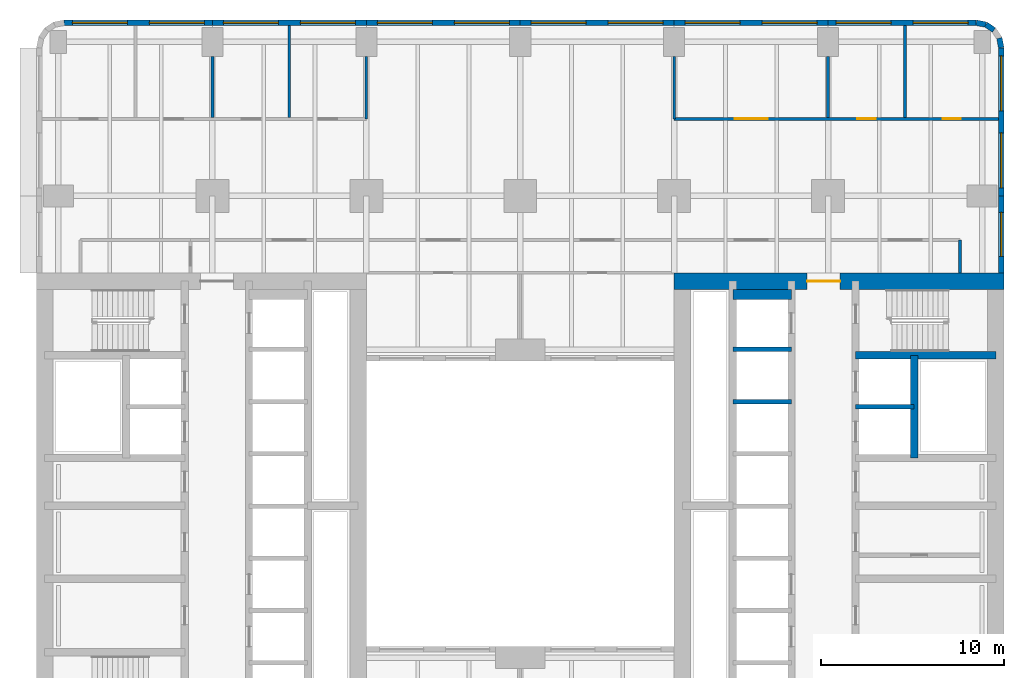
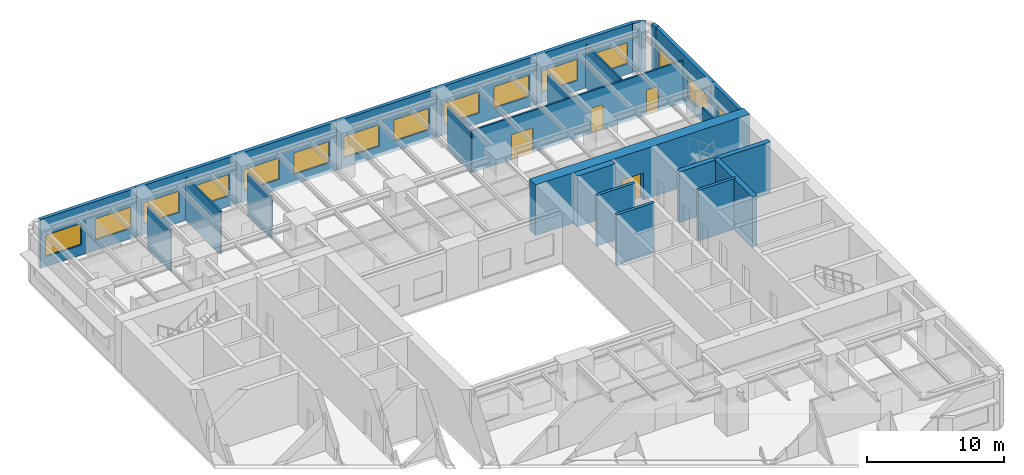
# One storey, part 7 of 14: 26 walls, 15 windows, 4 doors, 19 openings.
"""IFC4 building model written with IfcOpenShell, lengths in metres."""

from ifc_helpers import new_model, si_unit, direction, frame, frame_2d, origin, place, context, subcontext, project, spatial, rectangle, extrude, material, layer, layer_set, type_object, element, fill, save


model = new_model("IFC4")

# Units and contexts
model_context = context("Model", 3, precision=1e-05, world=origin(), true_north=direction((0.0, 1.0)))
body_context = subcontext(model_context, "Body", "Model", "MODEL_VIEW")
ifc_project = project(units=[si_unit("LENGTHUNIT", "METRE"), si_unit("AREAUNIT", "SQUARE_METRE"), si_unit("VOLUMEUNIT", "CUBIC_METRE"), si_unit("PLANEANGLEUNIT", "RADIAN"), si_unit("MASSUNIT", "GRAM", prefix="KILO")], contexts=[model_context])

# Site, building, storey
site_placement = place(None, origin())
site = spatial("IfcSite", under=ifc_project, at=site_placement, CompositionType="ELEMENT")
building_placement = place(site_placement, origin())
building = spatial("IfcBuilding", under=site, at=building_placement, Name="Claustro Exchange Tower", CompositionType="ELEMENT")
storey_placement = place(building_placement, frame((0.0, 0.0, 27.89990234375)))
storey = spatial("IfcBuildingStorey", under=building, at=storey_placement, Name="L06", CompositionType="ELEMENT", Elevation=27.89990234375)

# Walls
ifc_material_1 = material(Name="Gypsum board on steel studs", Category="steel")
ifc_layer_1 = layer(ifc_material_1, 0.14990234375)
ifc_layer_set_1 = layer_set([ifc_layer_1], Name="Gypsum board on steel studs")
wall_type_1 = type_object("IfcWallType", Name="P1 150 plasterboard partition", PredefinedType="PARTITIONING", material=ifc_layer_set_1)
wall_1_placement = place(storey_placement, frame((8.39990234375, 46.27392578125, 0.0), z_axis=(0.0, 0.0, 1.0), x_axis=(0.0, 1.0, 0.0)))
element("IfcWall", 1, at=wall_1_placement, inside=storey, type_object=wall_type_1, Name="Partition P1 L06", PredefinedType="PARTITIONING", context=body_context, shape_type="SweptSolid", body=[
    extrude(rectangle(XDim=3.3271484375, YDim=0.14990234375, at=frame_2d((1.66357421875, 0.0))), origin(), (0.0, 0.0, 1.0), 3.739990234375),
])
wall_2_placement = place(storey_placement, frame((12.60009765625, 46.27392578125, 0.0), z_axis=(0.0, 0.0, 1.0), x_axis=(0.0, 1.0, 0.0)))
element("IfcWall", 2, at=wall_2_placement, inside=storey, type_object=wall_type_1, Name="Partition P1 L06", PredefinedType="PARTITIONING", context=body_context, shape_type="SweptSolid", body=[
    extrude(rectangle(XDim=5.028076171875, YDim=0.14990234375, at=frame_2d((2.51416015625, 0.0))), origin(), (0.0, 0.0, 1.0), 3.840087890625),
])
wall_3_placement = place(storey_placement, frame((16.800048828125, 46.199951171875, 0.0), z_axis=(0.0, 0.0, 1.0), x_axis=(0.0, 1.0, 0.0)))
element("IfcWall", 3, at=wall_3_placement, inside=storey, type_object=wall_type_1, Name="Partition P1 L06", PredefinedType="PARTITIONING", context=body_context, shape_type="SweptSolid", body=[
    extrude(rectangle(XDim=3.401123046875, YDim=0.14990234375, at=frame_2d((1.70068359375, 0.0))), origin(), (0.0, 0.0, 1.0), 3.739990234375),
])

# Wall, openings, doors
wall_4_placement = place(storey_placement, frame((33.60009765625, 46.199951171875, 0.0), z_axis=(0.0, 0.0, 1.0), x_axis=(1.0, 0.0, 0.0)))
wall_4 = element("IfcWall", 4, at=wall_4_placement, inside=storey, type_object=wall_type_1, Name="Partition P1 L06", PredefinedType="PARTITIONING", context=body_context, shape_type="SweptSolid", body=[
    extrude(rectangle(XDim=17.701904296875, YDim=0.14990234375, at=frame_2d((8.85107421875, 0.0))), origin(), (0.0, 0.0, 1.0), 3.739990234375),
])
opening_1_placement = place(wall_4_placement, frame((3.300048828125, 0.0, 0.0)))
opening_1 = element("IfcOpeningElement", 5, at=opening_1_placement, cuts=wall_4, Name="Opening D2", PredefinedType="OPENING", context=body_context, shape_type="SweptSolid", body=[
    extrude(rectangle(XDim=1.800048828125, YDim=2.199951171875, at=frame_2d((0.89990234375, 1.10009765625))), frame((0.0, 0.0849609375, 0.0), z_axis=(0.0, -1.0, 0.0), x_axis=(1.0, 0.0, 0.0)), (0.0, 0.0, 1.0), 0.169921875),
])
opening_2_placement = place(wall_4_placement, frame((10.0, 0.0, 0.0)))
opening_2 = element("IfcOpeningElement", 6, at=opening_2_placement, cuts=wall_4, Name="Opening D1", PredefinedType="OPENING", context=body_context, shape_type="SweptSolid", body=[
    extrude(rectangle(XDim=1.0, YDim=2.199951171875, at=frame_2d((0.5, 1.10009765625))), frame((0.0, 0.0849609375, 0.0), z_axis=(0.0, -1.0, 0.0), x_axis=(1.0, 0.0, 0.0)), (0.0, 0.0, 1.0), 0.169921875),
])
opening_3_placement = place(wall_4_placement, frame((14.64990234375, 0.0, 0.0)))
opening_3 = element("IfcOpeningElement", 7, at=opening_3_placement, cuts=wall_4, Name="Opening D1", PredefinedType="OPENING", context=body_context, shape_type="SweptSolid", body=[
    extrude(rectangle(XDim=1.0, YDim=2.199951171875, at=frame_2d((0.5, 1.10009765625))), frame((0.0, 0.0849609375, 0.0), z_axis=(0.0, -1.0, 0.0), x_axis=(1.0, 0.0, 0.0)), (0.0, 0.0, 1.0), 0.169921875),
])
ifc_material_2 = material(Name="Timber door, oak veneer", Category="wood")
door_type_1 = type_object("IfcDoorType", Name="D1 1000 x 2200 single door", OperationType="SINGLE_SWING_LEFT", PredefinedType="DOOR", material=ifc_material_2)
door_1_placement = place(opening_2_placement, origin())
door_1 = element("IfcDoor", 8, at=door_1_placement, inside=storey, type_object=door_type_1, Name="Door D1 L06", OperationType="SINGLE_SWING_LEFT", OverallHeight=2.199951171875, OverallWidth=1.0, PredefinedType="DOOR", context=body_context, shape_type="SweptSolid", body=[
    extrude(rectangle(XDim=1.0, YDim=2.199951171875, at=frame_2d((0.5, 1.10009765625))), frame((0.0, 0.02490234375, 0.0), z_axis=(0.0, -1.0, 0.0), x_axis=(1.0, 0.0, 0.0)), (0.0, 0.0, 1.0), 0.050048828125),
])
fill(opening_2, door_1)
door_2_placement = place(opening_3_placement, origin())
door_2 = element("IfcDoor", 9, at=door_2_placement, inside=storey, type_object=door_type_1, Name="Door D1 L06", OperationType="SINGLE_SWING_LEFT", OverallHeight=2.199951171875, OverallWidth=1.0, PredefinedType="DOOR", context=body_context, shape_type="SweptSolid", body=[
    extrude(rectangle(XDim=1.0, YDim=2.199951171875, at=frame_2d((0.5, 1.10009765625))), frame((0.0, 0.02490234375, 0.0), z_axis=(0.0, -1.0, 0.0), x_axis=(1.0, 0.0, 0.0)), (0.0, 0.0, 1.0), 0.050048828125),
])
fill(opening_3, door_2)
ifc_material_3 = material(Name="Timber door, oak veneer", Category="wood")
door_type_2 = type_object("IfcDoorType", Name="D2 1800 x 2200 double door", OperationType="DOUBLE_DOOR_SINGLE_SWING", PredefinedType="DOOR", material=ifc_material_3)
door_3_placement = place(opening_1_placement, origin())
door_3 = element("IfcDoor", 10, at=door_3_placement, inside=storey, type_object=door_type_2, Name="Double door D2 L06", OperationType="DOUBLE_DOOR_SINGLE_SWING", OverallHeight=2.199951171875, OverallWidth=1.800048828125, PredefinedType="DOOR", context=body_context, shape_type="SweptSolid", body=[
    extrude(rectangle(XDim=1.800048828125, YDim=2.199951171875, at=frame_2d((0.89990234375, 1.10009765625))), frame((0.0, 0.02490234375, 0.0), z_axis=(0.0, -1.0, 0.0), x_axis=(1.0, 0.0, 0.0)), (0.0, 0.0, 1.0), 0.050048828125),
])
fill(opening_1, door_3)

# Walls
wall_5_placement = place(storey_placement, frame((33.60009765625, 46.199951171875, 0.0), z_axis=(0.0, 0.0, 1.0), x_axis=(0.0, 1.0, 0.0)))
element("IfcWall", 11, at=wall_5_placement, inside=storey, type_object=wall_type_1, Name="Partition P1 L06", PredefinedType="PARTITIONING", context=body_context, shape_type="SweptSolid", body=[
    extrude(rectangle(XDim=3.401123046875, YDim=0.14990234375, at=frame_2d((1.70068359375, 0.0))), origin(), (0.0, 0.0, 1.0), 3.739990234375),
])
wall_6_placement = place(storey_placement, frame((42.0, 46.27392578125, 0.0), z_axis=(0.0, 0.0, 1.0), x_axis=(0.0, 1.0, 0.0)))
element("IfcWall", 12, at=wall_6_placement, inside=storey, type_object=wall_type_1, Name="Partition P1 L06", PredefinedType="PARTITIONING", context=body_context, shape_type="SweptSolid", body=[
    extrude(rectangle(XDim=3.3271484375, YDim=0.14990234375, at=frame_2d((1.66357421875, 0.0))), origin(), (0.0, 0.0, 1.0), 3.739990234375),
])
wall_7_placement = place(storey_placement, frame((46.199951171875, 46.27392578125, 0.0), z_axis=(0.0, 0.0, 1.0), x_axis=(0.0, 1.0, 0.0)))
element("IfcWall", 13, at=wall_7_placement, inside=storey, type_object=wall_type_1, Name="Partition P1 L06", PredefinedType="PARTITIONING", context=body_context, shape_type="SweptSolid", body=[
    extrude(rectangle(XDim=5.028076171875, YDim=0.14990234375, at=frame_2d((2.51416015625, 0.0))), origin(), (0.0, 0.0, 1.0), 3.840087890625),
])
wall_8_placement = place(storey_placement, frame((49.199951171875, 37.800048828125, 0.0), z_axis=(0.0, 0.0, 1.0), x_axis=(0.0, 1.0, 0.0)))
element("IfcWall", 14, at=wall_8_placement, inside=storey, type_object=wall_type_1, Name="Partition P1 L06", PredefinedType="PARTITIONING", context=body_context, shape_type="SweptSolid", body=[
    extrude(rectangle(XDim=1.800048828125, YDim=0.14990234375, at=frame_2d((0.89990234375, 0.0))), origin(), (0.0, 0.0, 1.0), 4.340087890625),
])

# Wall, openings, windows
ifc_material_4 = material(Name="Concrete HA-40 (C40/50), precast, white cement, acid-etched", Category="concrete")
ifc_layer_2 = layer(ifc_material_4, 0.300048828125)
ifc_layer_set_2 = layer_set([ifc_layer_2], Name="Concrete HA-40 (C40/50), precast, white cement, acid-etched")
wall_type_2 = type_object("IfcWallType", Name="PC1 300 precast concrete pier panel", PredefinedType="SOLIDWALL", material=ifc_layer_set_2)
wall_9_placement = place(storey_placement, frame((0.314697265625, 51.449951171875, 0.0), z_axis=(0.0, 0.0, 1.0), x_axis=(1.0, 0.0, 0.0)))
wall_9 = element("IfcWall", 15, at=wall_9_placement, inside=storey, type_object=wall_type_2, Name="Precast pier panel PC1 L06", PredefinedType="SOLIDWALL", context=body_context, shape_type="SweptSolid", body=[
    extrude(rectangle(XDim=8.085205078125, YDim=0.300048828125, at=frame_2d((4.04248046875, 0.0))), origin(), (0.0, 0.0, 1.0), 4.340087890625),
])
opening_4_placement = place(wall_9_placement, frame((0.442626953125, 0.0, 0.89990234375)))
opening_4 = element("IfcOpeningElement", 16, at=opening_4_placement, cuts=wall_9, Name="Opening W1", PredefinedType="OPENING", context=body_context, shape_type="SweptSolid", body=[
    extrude(rectangle(XDim=3.0, YDim=1.89990234375, at=frame_2d((1.5, 0.949951171875))), frame((0.0, 0.159912109375, 0.0), z_axis=(0.0, -1.0, 0.0), x_axis=(1.0, 0.0, 0.0)), (0.0, 0.0, 1.0), 0.320068359375),
])
opening_5_placement = place(wall_9_placement, frame((4.642578125, 0.0, 0.89990234375)))
opening_5 = element("IfcOpeningElement", 17, at=opening_5_placement, cuts=wall_9, Name="Opening W1", PredefinedType="OPENING", context=body_context, shape_type="SweptSolid", body=[
    extrude(rectangle(XDim=3.0, YDim=1.89990234375, at=frame_2d((1.5, 0.949951171875))), frame((0.0, 0.159912109375, 0.0), z_axis=(0.0, -1.0, 0.0), x_axis=(1.0, 0.0, 0.0)), (0.0, 0.0, 1.0), 0.320068359375),
])
ifc_material_5 = material(Name="Aluminium frame, clear double glazing", Category="aluminium")
window_type_1 = type_object("IfcWindowType", Name="W1 3000 x 1900 window", PartitioningType="SINGLE_PANEL", PredefinedType="WINDOW", material=ifc_material_5)
window_1_placement = place(opening_4_placement, origin())
window_1 = element("IfcWindow", 18, at=window_1_placement, inside=storey, type_object=window_type_1, Name="Window W1 L06", OverallHeight=1.89990234375, OverallWidth=3.0, PartitioningType="SINGLE_PANEL", PredefinedType="WINDOW", context=body_context, shape_type="SweptSolid", body=[
    extrude(rectangle(XDim=3.0, YDim=1.89990234375, at=frame_2d((1.5, 0.949951171875))), frame((0.0, 0.030029296875, 0.0), z_axis=(0.0, -1.0, 0.0), x_axis=(1.0, 0.0, 0.0)), (0.0, 0.0, 1.0), 0.06005859375),
])
fill(opening_4, window_1)
window_2_placement = place(opening_5_placement, origin())
window_2 = element("IfcWindow", 19, at=window_2_placement, inside=storey, type_object=window_type_1, Name="Window W1 L06", OverallHeight=1.89990234375, OverallWidth=3.0, PartitioningType="SINGLE_PANEL", PredefinedType="WINDOW", context=body_context, shape_type="SweptSolid", body=[
    extrude(rectangle(XDim=3.0, YDim=1.89990234375, at=frame_2d((1.5, 0.949951171875))), frame((0.0, 0.030029296875, 0.0), z_axis=(0.0, -1.0, 0.0), x_axis=(1.0, 0.0, 0.0)), (0.0, 0.0, 1.0), 0.06005859375),
])
fill(opening_5, window_2)

wall_10_placement = place(storey_placement, frame((8.39990234375, 51.449951171875, 0.0), z_axis=(0.0, 0.0, 1.0), x_axis=(1.0, 0.0, 0.0)))
wall_10 = element("IfcWall", 20, at=wall_10_placement, inside=storey, type_object=wall_type_2, Name="Precast pier panel PC1 L06", PredefinedType="SOLIDWALL", context=body_context, shape_type="SweptSolid", body=[
    extrude(rectangle(XDim=8.400146484375, YDim=0.300048828125, at=frame_2d((4.2001953125, 0.0))), origin(), (0.0, 0.0, 1.0), 4.340087890625),
])
opening_6_placement = place(wall_10_placement, frame((0.60009765625, 0.0, 0.89990234375)))
opening_6 = element("IfcOpeningElement", 21, at=opening_6_placement, cuts=wall_10, Name="Opening W1", PredefinedType="OPENING", context=body_context, shape_type="SweptSolid", body=[
    extrude(rectangle(XDim=3.0, YDim=1.89990234375, at=frame_2d((1.5, 0.949951171875))), frame((0.0, 0.159912109375, 0.0), z_axis=(0.0, -1.0, 0.0), x_axis=(1.0, 0.0, 0.0)), (0.0, 0.0, 1.0), 0.320068359375),
])
opening_7_placement = place(wall_10_placement, frame((4.800048828125, 0.0, 0.89990234375)))
opening_7 = element("IfcOpeningElement", 22, at=opening_7_placement, cuts=wall_10, Name="Opening W1", PredefinedType="OPENING", context=body_context, shape_type="SweptSolid", body=[
    extrude(rectangle(XDim=3.0, YDim=1.89990234375, at=frame_2d((1.5, 0.949951171875))), frame((0.0, 0.159912109375, 0.0), z_axis=(0.0, -1.0, 0.0), x_axis=(1.0, 0.0, 0.0)), (0.0, 0.0, 1.0), 0.320068359375),
])
window_3_placement = place(opening_6_placement, origin())
window_3 = element("IfcWindow", 23, at=window_3_placement, inside=storey, type_object=window_type_1, Name="Window W1 L06", OverallHeight=1.89990234375, OverallWidth=3.0, PartitioningType="SINGLE_PANEL", PredefinedType="WINDOW", context=body_context, shape_type="SweptSolid", body=[
    extrude(rectangle(XDim=3.0, YDim=1.89990234375, at=frame_2d((1.5, 0.949951171875))), frame((0.0, 0.030029296875, 0.0), z_axis=(0.0, -1.0, 0.0), x_axis=(1.0, 0.0, 0.0)), (0.0, 0.0, 1.0), 0.06005859375),
])
fill(opening_6, window_3)
window_4_placement = place(opening_7_placement, origin())
window_4 = element("IfcWindow", 24, at=window_4_placement, inside=storey, type_object=window_type_1, Name="Window W1 L06", OverallHeight=1.89990234375, OverallWidth=3.0, PartitioningType="SINGLE_PANEL", PredefinedType="WINDOW", context=body_context, shape_type="SweptSolid", body=[
    extrude(rectangle(XDim=3.0, YDim=1.89990234375, at=frame_2d((1.5, 0.949951171875))), frame((0.0, 0.030029296875, 0.0), z_axis=(0.0, -1.0, 0.0), x_axis=(1.0, 0.0, 0.0)), (0.0, 0.0, 1.0), 0.06005859375),
])
fill(opening_7, window_4)

wall_11_placement = place(storey_placement, frame((16.800048828125, 51.449951171875, 0.0), z_axis=(0.0, 0.0, 1.0), x_axis=(1.0, 0.0, 0.0)))
wall_11 = element("IfcWall", 25, at=wall_11_placement, inside=storey, type_object=wall_type_2, Name="Precast pier panel PC1 L06", PredefinedType="SOLIDWALL", context=body_context, shape_type="SweptSolid", body=[
    extrude(rectangle(XDim=8.39990234375, YDim=0.300048828125, at=frame_2d((4.199951171875, 0.0))), origin(), (0.0, 0.0, 1.0), 4.340087890625),
])
opening_8_placement = place(wall_11_placement, frame((0.60009765625, 0.0, 0.89990234375)))
opening_8 = element("IfcOpeningElement", 26, at=opening_8_placement, cuts=wall_11, Name="Opening W1", PredefinedType="OPENING", context=body_context, shape_type="SweptSolid", body=[
    extrude(rectangle(XDim=3.0, YDim=1.89990234375, at=frame_2d((1.5, 0.949951171875))), frame((0.0, 0.159912109375, 0.0), z_axis=(0.0, -1.0, 0.0), x_axis=(1.0, 0.0, 0.0)), (0.0, 0.0, 1.0), 0.320068359375),
])
opening_9_placement = place(wall_11_placement, frame((4.800048828125, 0.0, 0.89990234375)))
opening_9 = element("IfcOpeningElement", 27, at=opening_9_placement, cuts=wall_11, Name="Opening W1", PredefinedType="OPENING", context=body_context, shape_type="SweptSolid", body=[
    extrude(rectangle(XDim=3.0, YDim=1.89990234375, at=frame_2d((1.5, 0.949951171875))), frame((0.0, 0.159912109375, 0.0), z_axis=(0.0, -1.0, 0.0), x_axis=(1.0, 0.0, 0.0)), (0.0, 0.0, 1.0), 0.320068359375),
])
window_5_placement = place(opening_8_placement, origin())
window_5 = element("IfcWindow", 28, at=window_5_placement, inside=storey, type_object=window_type_1, Name="Window W1 L06", OverallHeight=1.89990234375, OverallWidth=3.0, PartitioningType="SINGLE_PANEL", PredefinedType="WINDOW", context=body_context, shape_type="SweptSolid", body=[
    extrude(rectangle(XDim=3.0, YDim=1.89990234375, at=frame_2d((1.5, 0.949951171875))), frame((0.0, 0.030029296875, 0.0), z_axis=(0.0, -1.0, 0.0), x_axis=(1.0, 0.0, 0.0)), (0.0, 0.0, 1.0), 0.06005859375),
])
fill(opening_8, window_5)
window_6_placement = place(opening_9_placement, origin())
window_6 = element("IfcWindow", 29, at=window_6_placement, inside=storey, type_object=window_type_1, Name="Window W1 L06", OverallHeight=1.89990234375, OverallWidth=3.0, PartitioningType="SINGLE_PANEL", PredefinedType="WINDOW", context=body_context, shape_type="SweptSolid", body=[
    extrude(rectangle(XDim=3.0, YDim=1.89990234375, at=frame_2d((1.5, 0.949951171875))), frame((0.0, 0.030029296875, 0.0), z_axis=(0.0, -1.0, 0.0), x_axis=(1.0, 0.0, 0.0)), (0.0, 0.0, 1.0), 0.06005859375),
])
fill(opening_9, window_6)

wall_12_placement = place(storey_placement, frame((25.199951171875, 51.449951171875, 0.0), z_axis=(0.0, 0.0, 1.0), x_axis=(1.0, 0.0, 0.0)))
wall_12 = element("IfcWall", 30, at=wall_12_placement, inside=storey, type_object=wall_type_2, Name="Precast pier panel PC1 L06", PredefinedType="SOLIDWALL", context=body_context, shape_type="SweptSolid", body=[
    extrude(rectangle(XDim=8.400146484375, YDim=0.300048828125, at=frame_2d((4.2001953125, 0.0))), origin(), (0.0, 0.0, 1.0), 4.340087890625),
])
opening_10_placement = place(wall_12_placement, frame((0.60009765625, 0.0, 0.89990234375)))
opening_10 = element("IfcOpeningElement", 31, at=opening_10_placement, cuts=wall_12, Name="Opening W1", PredefinedType="OPENING", context=body_context, shape_type="SweptSolid", body=[
    extrude(rectangle(XDim=3.0, YDim=1.89990234375, at=frame_2d((1.5, 0.949951171875))), frame((0.0, 0.159912109375, 0.0), z_axis=(0.0, -1.0, 0.0), x_axis=(1.0, 0.0, 0.0)), (0.0, 0.0, 1.0), 0.320068359375),
])
opening_11_placement = place(wall_12_placement, frame((4.800048828125, 0.0, 0.89990234375)))
opening_11 = element("IfcOpeningElement", 32, at=opening_11_placement, cuts=wall_12, Name="Opening W1", PredefinedType="OPENING", context=body_context, shape_type="SweptSolid", body=[
    extrude(rectangle(XDim=3.0, YDim=1.89990234375, at=frame_2d((1.5, 0.949951171875))), frame((0.0, 0.159912109375, 0.0), z_axis=(0.0, -1.0, 0.0), x_axis=(1.0, 0.0, 0.0)), (0.0, 0.0, 1.0), 0.320068359375),
])
window_7_placement = place(opening_10_placement, origin())
window_7 = element("IfcWindow", 33, at=window_7_placement, inside=storey, type_object=window_type_1, Name="Window W1 L06", OverallHeight=1.89990234375, OverallWidth=3.0, PartitioningType="SINGLE_PANEL", PredefinedType="WINDOW", context=body_context, shape_type="SweptSolid", body=[
    extrude(rectangle(XDim=3.0, YDim=1.89990234375, at=frame_2d((1.5, 0.949951171875))), frame((0.0, 0.030029296875, 0.0), z_axis=(0.0, -1.0, 0.0), x_axis=(1.0, 0.0, 0.0)), (0.0, 0.0, 1.0), 0.06005859375),
])
fill(opening_10, window_7)
window_8_placement = place(opening_11_placement, origin())
window_8 = element("IfcWindow", 34, at=window_8_placement, inside=storey, type_object=window_type_1, Name="Window W1 L06", OverallHeight=1.89990234375, OverallWidth=3.0, PartitioningType="SINGLE_PANEL", PredefinedType="WINDOW", context=body_context, shape_type="SweptSolid", body=[
    extrude(rectangle(XDim=3.0, YDim=1.89990234375, at=frame_2d((1.5, 0.949951171875))), frame((0.0, 0.030029296875, 0.0), z_axis=(0.0, -1.0, 0.0), x_axis=(1.0, 0.0, 0.0)), (0.0, 0.0, 1.0), 0.06005859375),
])
fill(opening_11, window_8)

wall_13_placement = place(storey_placement, frame((33.60009765625, 51.449951171875, 0.0), z_axis=(0.0, 0.0, 1.0), x_axis=(1.0, 0.0, 0.0)))
wall_13 = element("IfcWall", 35, at=wall_13_placement, inside=storey, type_object=wall_type_2, Name="Precast pier panel PC1 L06", PredefinedType="SOLIDWALL", context=body_context, shape_type="SweptSolid", body=[
    extrude(rectangle(XDim=8.39990234375, YDim=0.300048828125, at=frame_2d((4.199951171875, 0.0))), origin(), (0.0, 0.0, 1.0), 4.340087890625),
])
opening_12_placement = place(wall_13_placement, frame((0.60009765625, 0.0, 0.89990234375)))
opening_12 = element("IfcOpeningElement", 36, at=opening_12_placement, cuts=wall_13, Name="Opening W1", PredefinedType="OPENING", context=body_context, shape_type="SweptSolid", body=[
    extrude(rectangle(XDim=3.0, YDim=1.89990234375, at=frame_2d((1.5, 0.949951171875))), frame((0.0, 0.159912109375, 0.0), z_axis=(0.0, -1.0, 0.0), x_axis=(1.0, 0.0, 0.0)), (0.0, 0.0, 1.0), 0.320068359375),
])
opening_13_placement = place(wall_13_placement, frame((4.800048828125, 0.0, 0.89990234375)))
opening_13 = element("IfcOpeningElement", 37, at=opening_13_placement, cuts=wall_13, Name="Opening W1", PredefinedType="OPENING", context=body_context, shape_type="SweptSolid", body=[
    extrude(rectangle(XDim=3.0, YDim=1.89990234375, at=frame_2d((1.5, 0.949951171875))), frame((0.0, 0.159912109375, 0.0), z_axis=(0.0, -1.0, 0.0), x_axis=(1.0, 0.0, 0.0)), (0.0, 0.0, 1.0), 0.320068359375),
])
window_9_placement = place(opening_12_placement, origin())
window_9 = element("IfcWindow", 38, at=window_9_placement, inside=storey, type_object=window_type_1, Name="Window W1 L06", OverallHeight=1.89990234375, OverallWidth=3.0, PartitioningType="SINGLE_PANEL", PredefinedType="WINDOW", context=body_context, shape_type="SweptSolid", body=[
    extrude(rectangle(XDim=3.0, YDim=1.89990234375, at=frame_2d((1.5, 0.949951171875))), frame((0.0, 0.030029296875, 0.0), z_axis=(0.0, -1.0, 0.0), x_axis=(1.0, 0.0, 0.0)), (0.0, 0.0, 1.0), 0.06005859375),
])
fill(opening_12, window_9)
window_10_placement = place(opening_13_placement, origin())
window_10 = element("IfcWindow", 39, at=window_10_placement, inside=storey, type_object=window_type_1, Name="Window W1 L06", OverallHeight=1.89990234375, OverallWidth=3.0, PartitioningType="SINGLE_PANEL", PredefinedType="WINDOW", context=body_context, shape_type="SweptSolid", body=[
    extrude(rectangle(XDim=3.0, YDim=1.89990234375, at=frame_2d((1.5, 0.949951171875))), frame((0.0, 0.030029296875, 0.0), z_axis=(0.0, -1.0, 0.0), x_axis=(1.0, 0.0, 0.0)), (0.0, 0.0, 1.0), 0.06005859375),
])
fill(opening_13, window_10)

wall_14_placement = place(storey_placement, frame((42.0, 51.449951171875, 0.0), z_axis=(0.0, 0.0, 1.0), x_axis=(1.0, 0.0, 0.0)))
wall_14 = element("IfcWall", 40, at=wall_14_placement, inside=storey, type_object=wall_type_2, Name="Precast pier panel PC1 L06", PredefinedType="SOLIDWALL", context=body_context, shape_type="SweptSolid", body=[
    extrude(rectangle(XDim=8.085205078125, YDim=0.300048828125, at=frame_2d((4.04248046875, 0.0))), origin(), (0.0, 0.0, 1.0), 4.340087890625),
])
opening_14_placement = place(wall_14_placement, frame((0.442626953125, 0.0, 0.89990234375)))
opening_14 = element("IfcOpeningElement", 41, at=opening_14_placement, cuts=wall_14, Name="Opening W1", PredefinedType="OPENING", context=body_context, shape_type="SweptSolid", body=[
    extrude(rectangle(XDim=3.0, YDim=1.89990234375, at=frame_2d((1.5, 0.949951171875))), frame((0.0, 0.159912109375, 0.0), z_axis=(0.0, -1.0, 0.0), x_axis=(1.0, 0.0, 0.0)), (0.0, 0.0, 1.0), 0.320068359375),
])
opening_15_placement = place(wall_14_placement, frame((4.642578125, 0.0, 0.89990234375)))
opening_15 = element("IfcOpeningElement", 42, at=opening_15_placement, cuts=wall_14, Name="Opening W1", PredefinedType="OPENING", context=body_context, shape_type="SweptSolid", body=[
    extrude(rectangle(XDim=3.0, YDim=1.89990234375, at=frame_2d((1.5, 0.949951171875))), frame((0.0, 0.159912109375, 0.0), z_axis=(0.0, -1.0, 0.0), x_axis=(1.0, 0.0, 0.0)), (0.0, 0.0, 1.0), 0.320068359375),
])
window_11_placement = place(opening_14_placement, origin())
window_11 = element("IfcWindow", 43, at=window_11_placement, inside=storey, type_object=window_type_1, Name="Window W1 L06", OverallHeight=1.89990234375, OverallWidth=3.0, PartitioningType="SINGLE_PANEL", PredefinedType="WINDOW", context=body_context, shape_type="SweptSolid", body=[
    extrude(rectangle(XDim=3.0, YDim=1.89990234375, at=frame_2d((1.5, 0.949951171875))), frame((0.0, 0.030029296875, 0.0), z_axis=(0.0, -1.0, 0.0), x_axis=(1.0, 0.0, 0.0)), (0.0, 0.0, 1.0), 0.06005859375),
])
fill(opening_14, window_11)
window_12_placement = place(opening_15_placement, origin())
window_12 = element("IfcWindow", 44, at=window_12_placement, inside=storey, type_object=window_type_1, Name="Window W1 L06", OverallHeight=1.89990234375, OverallWidth=3.0, PartitioningType="SINGLE_PANEL", PredefinedType="WINDOW", context=body_context, shape_type="SweptSolid", body=[
    extrude(rectangle(XDim=3.0, YDim=1.89990234375, at=frame_2d((1.5, 0.949951171875))), frame((0.0, 0.030029296875, 0.0), z_axis=(0.0, -1.0, 0.0), x_axis=(1.0, 0.0, 0.0)), (0.0, 0.0, 1.0), 0.06005859375),
])
fill(opening_15, window_12)

# Walls
wall_15_placement = place(storey_placement, frame((50.085205078125, 51.449951171875, 0.0), z_axis=(0.0, 0.0, 1.0), x_axis=(0.980788534345, -0.195073962632, 0.0)))
element("IfcWall", 45, at=wall_15_placement, inside=storey, type_object=wall_type_2, Name="Precast pier panel PC1 L06", PredefinedType="SOLIDWALL", context=body_context, shape_type="SweptSolid", body=[
    extrude(rectangle(XDim=0.540771484375, YDim=0.300048828125, at=frame_2d((0.2705078125, 0.0))), origin(), (0.0, 0.0, 1.0), 4.340087890625),
])
wall_16_placement = place(storey_placement, frame((50.615478515625, 51.344482421875, 0.0), z_axis=(0.0, 0.0, 1.0), x_axis=(0.831478144188, -0.555557463938, 0.0)))
element("IfcWall", 46, at=wall_16_placement, inside=storey, type_object=wall_type_2, Name="Precast pier panel PC1 L06", PredefinedType="SOLIDWALL", context=body_context, shape_type="SweptSolid", body=[
    extrude(rectangle(XDim=0.525634765625, YDim=0.300048828125, at=frame_2d((0.2626953125, 0.0))), origin(), (0.0, 0.0, 1.0), 4.340087890625),
])
wall_17_placement = place(storey_placement, frame((51.344482421875, 50.615478515625, 0.0), z_axis=(0.0, 0.0, 1.0), x_axis=(0.195073962632, -0.980788534345, 0.0)))
element("IfcWall", 47, at=wall_17_placement, inside=storey, type_object=wall_type_2, Name="Precast pier panel PC1 L06", PredefinedType="SOLIDWALL", context=body_context, shape_type="SweptSolid", body=[
    extrude(rectangle(XDim=0.540771484375, YDim=0.300048828125, at=frame_2d((0.2705078125, 0.0))), origin(), (0.0, 0.0, 1.0), 4.340087890625),
])

# Wall, openings, windows
wall_18_placement = place(storey_placement, frame((51.449951171875, 50.085205078125, 0.0), z_axis=(0.0, 0.0, 1.0), x_axis=(0.0, -1.0, 0.0)))
wall_18 = element("IfcWall", 48, at=wall_18_placement, inside=storey, type_object=wall_type_2, Name="Precast pier panel PC1 L06", PredefinedType="SOLIDWALL", context=body_context, shape_type="SweptSolid", body=[
    extrude(rectangle(XDim=8.085205078125, YDim=0.300048828125, at=frame_2d((4.04248046875, 0.0))), origin(), (0.0, 0.0, 1.0), 4.340087890625),
])
opening_16_placement = place(wall_18_placement, frame((0.442626953125, 0.0, 0.89990234375)))
opening_16 = element("IfcOpeningElement", 49, at=opening_16_placement, cuts=wall_18, Name="Opening W1", PredefinedType="OPENING", context=body_context, shape_type="SweptSolid", body=[
    extrude(rectangle(XDim=3.0, YDim=1.89990234375, at=frame_2d((1.5, 0.949951171875))), frame((0.0, 0.159912109375, 0.0), z_axis=(0.0, -1.0, 0.0), x_axis=(1.0, 0.0, 0.0)), (0.0, 0.0, 1.0), 0.320068359375),
])
opening_17_placement = place(wall_18_placement, frame((4.642578125, 0.0, 0.89990234375)))
opening_17 = element("IfcOpeningElement", 50, at=opening_17_placement, cuts=wall_18, Name="Opening W1", PredefinedType="OPENING", context=body_context, shape_type="SweptSolid", body=[
    extrude(rectangle(XDim=3.0, YDim=1.89990234375, at=frame_2d((1.5, 0.949951171875))), frame((0.0, 0.159912109375, 0.0), z_axis=(0.0, -1.0, 0.0), x_axis=(1.0, 0.0, 0.0)), (0.0, 0.0, 1.0), 0.320068359375),
])
window_13_placement = place(opening_16_placement, origin())
window_13 = element("IfcWindow", 51, at=window_13_placement, inside=storey, type_object=window_type_1, Name="Window W1 L06", OverallHeight=1.89990234375, OverallWidth=3.0, PartitioningType="SINGLE_PANEL", PredefinedType="WINDOW", context=body_context, shape_type="SweptSolid", body=[
    extrude(rectangle(XDim=3.0, YDim=1.89990234375, at=frame_2d((1.5, 0.949951171875))), frame((0.0, 0.030029296875, 0.0), z_axis=(0.0, -1.0, 0.0), x_axis=(1.0, 0.0, 0.0)), (0.0, 0.0, 1.0), 0.06005859375),
])
fill(opening_16, window_13)
window_14_placement = place(opening_17_placement, origin())
window_14 = element("IfcWindow", 52, at=window_14_placement, inside=storey, type_object=window_type_1, Name="Window W1 L06", OverallHeight=1.89990234375, OverallWidth=3.0, PartitioningType="SINGLE_PANEL", PredefinedType="WINDOW", context=body_context, shape_type="SweptSolid", body=[
    extrude(rectangle(XDim=3.0, YDim=1.89990234375, at=frame_2d((1.5, 0.949951171875))), frame((0.0, 0.030029296875, 0.0), z_axis=(0.0, -1.0, 0.0), x_axis=(1.0, 0.0, 0.0)), (0.0, 0.0, 1.0), 0.06005859375),
])
fill(opening_17, window_14)

# Wall, opening, window
wall_19_placement = place(storey_placement, frame((51.449951171875, 42.0, 0.0), z_axis=(0.0, 0.0, 1.0), x_axis=(0.0, -1.0, 0.0)))
wall_19 = element("IfcWall", 53, at=wall_19_placement, inside=storey, type_object=wall_type_2, Name="Precast pier panel PC1 L06", PredefinedType="SOLIDWALL", context=body_context, shape_type="SweptSolid", body=[
    extrude(rectangle(XDim=4.199951171875, YDim=0.300048828125, at=frame_2d((2.10009765625, 0.0))), origin(), (0.0, 0.0, 1.0), 4.340087890625),
])
opening_18_placement = place(wall_19_placement, frame((0.89990234375, 0.0, 0.89990234375)))
opening_18 = element("IfcOpeningElement", 54, at=opening_18_placement, cuts=wall_19, Name="Opening W2", PredefinedType="OPENING", context=body_context, shape_type="SweptSolid", body=[
    extrude(rectangle(XDim=2.39990234375, YDim=1.89990234375, at=frame_2d((1.199951171875, 0.949951171875))), frame((0.0, 0.159912109375, 0.0), z_axis=(0.0, -1.0, 0.0), x_axis=(1.0, 0.0, 0.0)), (0.0, 0.0, 1.0), 0.320068359375),
])
ifc_material_6 = material(Name="Aluminium frame, clear double glazing", Category="aluminium")
window_type_2 = type_object("IfcWindowType", Name="W2 2400 x 1900 window", PartitioningType="SINGLE_PANEL", PredefinedType="WINDOW", material=ifc_material_6)
window_15_placement = place(opening_18_placement, origin())
window_15 = element("IfcWindow", 55, at=window_15_placement, inside=storey, type_object=window_type_2, Name="Window W2 L06", OverallHeight=1.89990234375, OverallWidth=2.39990234375, PartitioningType="SINGLE_PANEL", PredefinedType="WINDOW", context=body_context, shape_type="SweptSolid", body=[
    extrude(rectangle(XDim=2.39990234375, YDim=1.89990234375, at=frame_2d((1.199951171875, 0.949951171875))), frame((0.0, 0.030029296875, 0.0), z_axis=(0.0, -1.0, 0.0), x_axis=(1.0, 0.0, 0.0)), (0.0, 0.0, 1.0), 0.06005859375),
])
fill(opening_18, window_15)

# Wall, opening, door
ifc_material_7 = material(Name="Concrete HA-70 (C70/85)", Category="concrete")
ifc_layer_3 = layer(ifc_material_7, 0.89990234375)
ifc_layer_set_3 = layer_set([ifc_layer_3], Name="Concrete HA-70 (C70/85)")
wall_type_3 = type_object("IfcWallType", Name="SW1 900 core shear wall", PredefinedType="SHEAR", material=ifc_layer_set_3)
wall_20_placement = place(storey_placement, frame((33.60009765625, 37.35009765625, 0.0), z_axis=(0.0, 0.0, 1.0), x_axis=(1.0, 0.0, 0.0)))
wall_20 = element("IfcWall", 56, at=wall_20_placement, inside=storey, type_object=wall_type_3, Name="Core wall SW1 E core N face L06", PredefinedType="SHEAR", context=body_context, shape_type="SweptSolid", body=[
    extrude(rectangle(XDim=18.0, YDim=0.89990234375, at=frame_2d((9.0, 0.0))), origin(), (0.0, 0.0, 1.0), 4.5),
])
opening_19_placement = place(wall_20_placement, frame((7.25, 0.0, 0.0)))
opening_19 = element("IfcOpeningElement", 57, at=opening_19_placement, cuts=wall_20, Name="Opening D3", PredefinedType="OPENING", context=body_context, shape_type="SweptSolid", body=[
    extrude(rectangle(XDim=1.800048828125, YDim=2.39990234375, at=frame_2d((0.89990234375, 1.199951171875))), frame((0.0, 0.4599609375, 0.0), z_axis=(0.0, -1.0, 0.0), x_axis=(1.0, 0.0, 0.0)), (0.0, 0.0, 1.0), 0.919921875),
])
ifc_material_8 = material(Name="Steel fire door, painted", Category="steel")
door_type_3 = type_object("IfcDoorType", Name="D3 1800 x 2400 fire-rated lobby double door", OperationType="DOUBLE_DOOR_SINGLE_SWING", PredefinedType="DOOR", material=ifc_material_8)
door_4_placement = place(opening_19_placement, frame((1.800048828125, 0.0, 0.0), z_axis=(0.0, 0.0, 1.0), x_axis=(-1.0, 0.0, 0.0)))
door_4 = element("IfcDoor", 58, at=door_4_placement, inside=storey, type_object=door_type_3, Name="Lift lobby door D3 L06", OperationType="DOUBLE_DOOR_SINGLE_SWING", OverallHeight=2.39990234375, OverallWidth=1.800048828125, PredefinedType="DOOR", context=body_context, shape_type="SweptSolid", body=[
    extrude(rectangle(XDim=1.800048828125, YDim=2.39990234375, at=frame_2d((0.89990234375, 1.199951171875))), frame((0.0, 0.02490234375, 0.0), z_axis=(0.0, -1.0, 0.0), x_axis=(1.0, 0.0, 0.0)), (0.0, 0.0, 1.0), 0.050048828125),
])
fill(opening_19, door_4)

# Walls
ifc_material_9 = material(Name="Concrete HA-50 (C50/60)", Category="concrete")
ifc_layer_4 = layer(ifc_material_9, 0.39990234375)
ifc_layer_set_4 = layer_set([ifc_layer_4], Name="Concrete HA-50 (C50/60)")
wall_type_4 = type_object("IfcWallType", Name="SW4 400 internal core wall", PredefinedType="SHEAR", material=ifc_layer_set_4)
wall_21_placement = place(storey_placement, frame((51.14990234375, 33.300048828125, 0.0), z_axis=(0.0, 0.0, 1.0), x_axis=(-1.0, 0.0, 0.0)))
element("IfcWall", 59, at=wall_21_placement, inside=storey, type_object=wall_type_4, Name="Internal core wall SW4 E core L06", PredefinedType="SHEAR", context=body_context, shape_type="SweptSolid", body=[
    extrude(rectangle(XDim=7.64990234375, YDim=0.39990234375, at=frame_2d((3.824951171875, 0.0))), origin(), (0.0, 0.0, 1.0), 4.5),
])
wall_22_placement = place(storey_placement, frame((46.699951171875, 27.699951171875, 0.0), z_axis=(0.0, 0.0, 1.0), x_axis=(0.0, 1.0, 0.0)))
element("IfcWall", 60, at=wall_22_placement, inside=storey, type_object=wall_type_4, Name="Internal core wall SW4 E core L06", PredefinedType="SHEAR", context=body_context, shape_type="SweptSolid", body=[
    extrude(rectangle(XDim=5.60009765625, YDim=0.39990234375, at=frame_2d((2.800048828125, 0.0))), origin(), (0.0, 0.0, 1.0), 4.5),
])
ifc_material_10 = material(Name="Concrete HA-50 (C50/60)", Category="concrete")
ifc_layer_5 = layer(ifc_material_10, 0.25)
ifc_layer_set_5 = layer_set([ifc_layer_5], Name="Concrete HA-50 (C50/60)")
wall_type_5 = type_object("IfcWallType", Name="SW5 250 lift shaft divider wall", PredefinedType="SHEAR", material=ifc_layer_set_5)
for number, where, z_axis, x_axis, name in (
    (61, (46.699951171875, 30.5, 0.0), (0.0, 0.0, 1.0), (-1.0, 0.0, 0.0), "Lift shaft wall E core L06"),
    (62, (40.0, 30.77490234375, 0.0), (0.0, 0.0, 1.0), (-1.0, 0.0, 0.0), "Lift shaft wall E core L06"),
    (63, (40.0, 33.625, 0.0), (0.0, 0.0, 1.0), (-1.0, 0.0, 0.0), "Lift shaft wall E core L06"),
):
    element("IfcWall", number, at=place(storey_placement, frame(where, z_axis=z_axis, x_axis=x_axis)), inside=storey, type_object=wall_type_5, Name=name, PredefinedType="SHEAR", context=body_context, shape_type="SweptSolid", body=[
        extrude(rectangle(XDim=3.199951171875, YDim=0.25, at=frame_2d((1.60009765625, 0.0))), origin(), (0.0, 0.0, 1.0), 4.5),
    ])
ifc_material_11 = material(Name="Concrete HA-50 (C50/60)", Category="concrete")
ifc_layer_6 = layer(ifc_material_11, 0.550048828125)
ifc_layer_set_6 = layer_set([ifc_layer_6], Name="Concrete HA-50 (C50/60)")
wall_type_6 = type_object("IfcWallType", Name="SW6 550 lift shaft end wall", PredefinedType="SHEAR", material=ifc_layer_set_6)
wall_23_placement = place(storey_placement, frame((40.0, 36.625, 0.0), z_axis=(0.0, 0.0, 1.0), x_axis=(-1.0, 0.0, 0.0)))
element("IfcWall", 64, at=wall_23_placement, inside=storey, type_object=wall_type_6, Name="Lift shaft wall E core L06", PredefinedType="SHEAR", context=body_context, shape_type="SweptSolid", body=[
    extrude(rectangle(XDim=3.199951171875, YDim=0.550048828125, at=frame_2d((1.60009765625, 0.0))), origin(), (0.0, 0.0, 1.0), 4.5),
])

save(model, "model.ifc")
